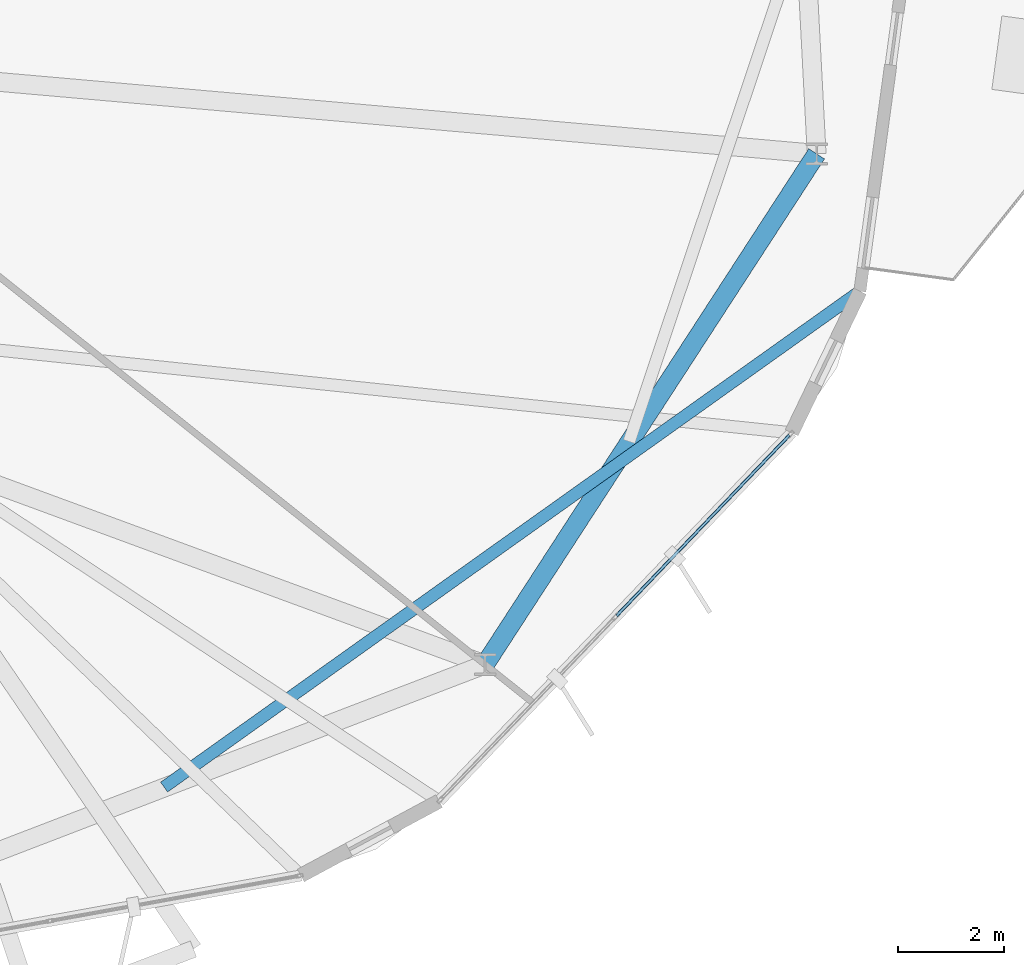
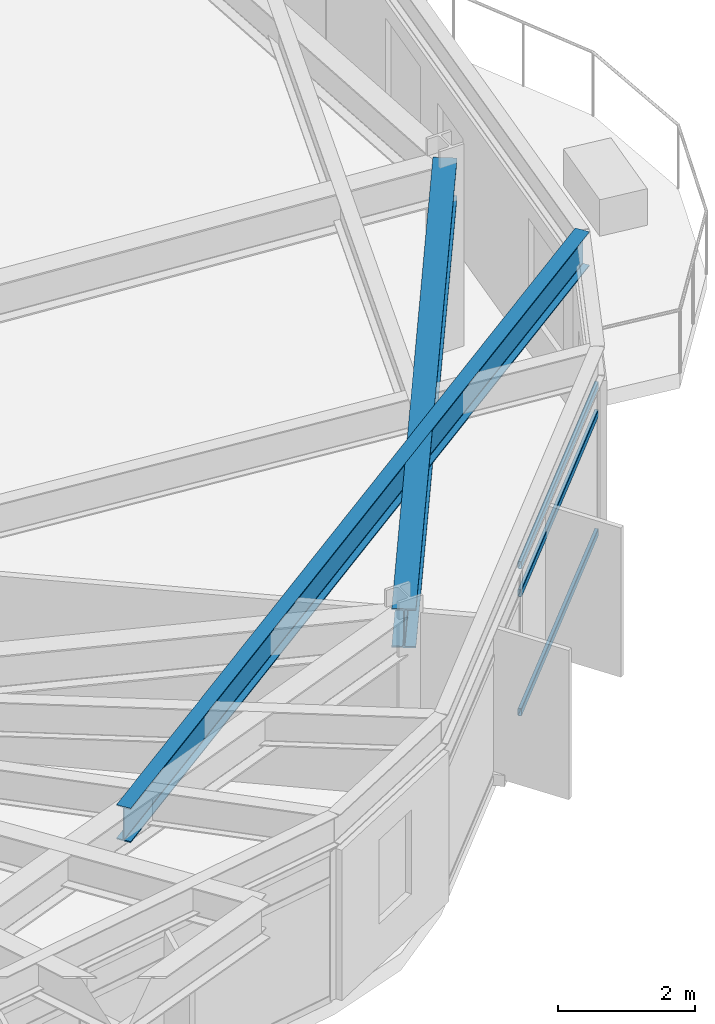
# One storey, part 12 of 27: 3 members, 2 beams, 1 element without a shape of its own.
"""IFC4 building model written with IfcOpenShell, lengths in metres."""

import ifcopenshell
import ifcopenshell.guid

model = None  # the IFC model being written
_history = None  # IfcOwnerHistory: only IFC2X3 demands one
_inside = {}  # id of a spatial element -> (the spatial element, [elements in it])
_under = {}  # id of a project, library or spatial element -> (it, [spatial elements below it])
_declared = {}  # id of a project -> (the project, [libraries it declares])
_typed = {}  # id of a type object -> (the type object, [elements of that type])
_made_of = {}  # id of a material, layer set ... -> (it, [elements and type objects made of it])


def new_model(schema):
    """Start an empty IFC model of exactly this schema.

    Asked for "IFC4X3", IfcOpenShell would pick the latest addendum, in which some entities
    have other attributes; the version numbers below select the first issue.
    IFC2X3 requires an IfcOwnerHistory on every rooted entity: one is made here for all.
    """
    global model, _history
    if schema == "IFC4X3":
        model = ifcopenshell.file(schema_version=(4, 3, 0, 0))
    else:
        model = ifcopenshell.file(schema=schema)
    _inside.clear()
    _under.clear()
    _declared.clear()
    _typed.clear()
    _made_of.clear()
    _history = None
    if model.schema == "IFC2X3":
        org = make("IfcOrganization", Name="unknown")
        user = make(
            "IfcPersonAndOrganization",
            ThePerson=make("IfcPerson", FamilyName="unknown"),
            TheOrganization=org,
        )
        app = make(
            "IfcApplication",
            ApplicationDeveloper=org,
            Version="unknown",
            ApplicationFullName="unknown",
            ApplicationIdentifier="unknown",
        )
        _history = make(
            "IfcOwnerHistory",
            OwningUser=user,
            OwningApplication=app,
            ChangeAction="ADDED",
            CreationDate=0,
        )
    return model


def make(cls, **values):
    """One entity of the class cls with the attributes given. An attribute that is None is left unset."""
    return model.create_entity(
        cls, **{name: value for name, value in values.items() if value is not None}
    )


def rooted(cls, **values):
    """An entity with a GlobalId (a new one), such as an element, a storey or a relation."""
    return make(cls, GlobalId=ifcopenshell.guid.new(), OwnerHistory=_history, **values)


def si_unit(unit_type, name, prefix=None):
    """IfcSIUnit, for example si_unit("LENGTHUNIT", "METRE", prefix="MILLI")."""
    return make("IfcSIUnit", UnitType=unit_type, Prefix=prefix, Name=name)


def assignment(units):
    """IfcUnitAssignment: the units of a project."""
    return None if units is None else make("IfcUnitAssignment", Units=units)


def point(xyz):
    """IfcCartesianPoint."""
    return None if xyz is None else make("IfcCartesianPoint", Coordinates=xyz)


def direction(xyz):
    """IfcDirection."""
    return None if xyz is None else make("IfcDirection", DirectionRatios=xyz)


def frame(location, z_axis=None, x_axis=None):
    """IfcAxis2Placement3D, a coordinate frame: its origin and axes. An axis left out is left unset."""
    return make(
        "IfcAxis2Placement3D",
        Location=point(location),
        Axis=direction(z_axis),
        RefDirection=direction(x_axis),
    )


def frame_2d(location, x_axis=None):
    """IfcAxis2Placement2D, a coordinate frame in the plane: its origin and x axis."""
    return make(
        "IfcAxis2Placement2D", Location=point(location), RefDirection=direction(x_axis)
    )


def origin():
    """The frame at (0, 0, 0) with its axes left unset."""
    return frame((0.0, 0.0, 0.0))


def origin_2d():
    """The frame at (0, 0) in the plane with its x axis left unset."""
    return frame_2d((0.0, 0.0))


def place(relative_to, where):
    """IfcLocalPlacement: puts the frame where relative to a parent placement (None: the world)."""
    return make(
        "IfcLocalPlacement", PlacementRelTo=relative_to, RelativePlacement=where
    )


def context(
    kind, dimensions, precision=None, world=None, true_north=None, identifier=None
):
    """IfcGeometricRepresentationContext, for example the 3D "Model" context."""
    return make(
        "IfcGeometricRepresentationContext",
        ContextIdentifier=identifier,
        ContextType=kind,
        CoordinateSpaceDimension=dimensions,
        Precision=precision,
        WorldCoordinateSystem=world,
        TrueNorth=true_north,
    )


def subcontext(parent, identifier, kind, view, scale=None):
    """IfcGeometricRepresentationSubContext, for example "Body" below "Model"."""
    return make(
        "IfcGeometricRepresentationSubContext",
        ContextIdentifier=identifier,
        ContextType=kind,
        ParentContext=parent,
        TargetScale=scale,
        TargetView=view,
    )


def project(units=None, contexts=None):
    """IfcProject with its units and contexts."""
    return rooted(
        "IfcProject",
        Name="project",
        RepresentationContexts=contexts,
        UnitsInContext=assignment(units),
    )


def spatial(cls, under=None, at=None, **own):
    """A site, building, storey or space (cls), placed at a placement, below another one or the project."""
    s = rooted(cls, ObjectPlacement=at, **own)
    if under is not None:
        _under.setdefault(under.id(), (under, []))[1].append(s)
    return s


def profile(cls, at=None, kind="AREA", **sizes):
    """A parametric profile (cls). Its sizes go by their IFC names, for example OverallWidth=200.0."""
    return make(cls, ProfileType=kind, Position=at, **sizes)


def hollow_rectangle(**sizes):
    """IfcRectangleHollowProfileDef."""
    return profile("IfcRectangleHollowProfileDef", **sizes)


def i_section(**sizes):
    """IfcIShapeProfileDef."""
    return profile("IfcIShapeProfileDef", **sizes)


def extrude(swept, where, along, depth):
    """IfcExtrudedAreaSolid: the profile swept, set in the frame where, extruded along a direction by depth."""
    return make(
        "IfcExtrudedAreaSolid",
        SweptArea=swept,
        Position=where,
        ExtrudedDirection=direction(along),
        Depth=depth,
    )


def shape(context_of_items, identifier, shape_type, items):
    """IfcShapeRepresentation: the items that make up one representation, for example the "Body"."""
    return make(
        "IfcShapeRepresentation",
        ContextOfItems=context_of_items,
        RepresentationIdentifier=identifier,
        RepresentationType=shape_type,
        Items=items,
    )


def material(Name=None, Category=None):
    """IfcMaterial."""
    return make("IfcMaterial", Name=Name, Category=Category)


def layer(
    of_material, thickness, ventilated=None, Name=None, Category=None, Priority=None
):
    """IfcMaterialLayer: one layer of a wall or slab, of a material (None: an air gap)."""
    return make(
        "IfcMaterialLayer",
        Material=of_material,
        LayerThickness=thickness,
        IsVentilated=ventilated,
        Name=Name,
        Category=Category,
        Priority=Priority,
    )


def layer_set(layers, Name=None):
    """IfcMaterialLayerSet."""
    return make("IfcMaterialLayerSet", MaterialLayers=layers, LayerSetName=Name)


def material_profile(
    of_material, cross_section, Name=None, Category=None, Priority=None
):
    """IfcMaterialProfile: a cross section and its material."""
    return make(
        "IfcMaterialProfile",
        Name=Name,
        Material=of_material,
        Profile=cross_section,
        Priority=Priority,
        Category=Category,
    )


def profile_set(profiles, Name=None, composite=None):
    """IfcMaterialProfileSet."""
    return make(
        "IfcMaterialProfileSet",
        Name=Name,
        MaterialProfiles=profiles,
        CompositeProfile=composite,
    )


def made_of(thing, what):
    """Note that an element or type object is made of a material, layer set ...; save() writes the relation."""
    if what is not None:
        _made_of.setdefault(what.id(), (what, []))[1].append(thing)
    return thing


def type_object(cls, material=None, **own):
    """A type object (cls), such as IfcWallType, which elements share."""
    return made_of(rooted(cls, **own), material)


def element(
    cls,
    number,
    at=None,
    inside=None,
    cuts=None,
    type_object=None,
    material=None,
    context=None,
    identifier="Body",
    shape_type=None,
    held_by="IfcProductDefinitionShape",
    body=None,
    shapes=None,
    **own,
):
    """One element of the class cls, such as IfcWall. Its Tag is "e" and its number.

    at: its placement. inside: the storey or other place that contains it. cuts: it is an
    opening in that element (IfcRelVoidsElement). A single representation is given by context,
    identifier, shape_type and body (its items); several are given by shapes. held_by: the class
    of the entity that holds the representations. save() writes the other relations.
    """
    e = rooted(cls, Tag="e%d" % number, ObjectPlacement=at, **own)
    if body is not None:
        shapes = [shape(context, identifier, shape_type, body)]
    if shapes is not None:
        e.Representation = make(held_by, Representations=shapes)
    if inside is not None:
        _inside.setdefault(inside.id(), (inside, []))[1].append(e)
    if cuts is not None:
        rooted(
            "IfcRelVoidsElement", RelatingBuildingElement=cuts, RelatedOpeningElement=e
        )
    if type_object is not None:
        _typed.setdefault(type_object.id(), (type_object, []))[1].append(e)
    return made_of(e, material)


def aggregate(whole, parts):
    """IfcRelAggregates: a whole, such as a stair, and the parts it consists of."""
    return rooted("IfcRelAggregates", RelatingObject=whole, RelatedObjects=parts)


def save(model, path):
    """Write the relations noted so far, then the file.

    IfcRelAggregates (storeys below a building ...), IfcRelContainedInSpatialStructure (elements
    in a storey), IfcRelDefinesByType, IfcRelAssociatesMaterial and IfcRelDeclares: one each for
    every whole, place, type object, material and project.
    """
    for whole, parts in _under.values():
        aggregate(whole, parts)
    for where, things in _inside.values():
        rooted(
            "IfcRelContainedInSpatialStructure",
            RelatedElements=things,
            RelatingStructure=where,
        )
    for kind, things in _typed.values():
        rooted("IfcRelDefinesByType", RelatedObjects=things, RelatingType=kind)
    for what, things in _made_of.values():
        rooted("IfcRelAssociatesMaterial", RelatedObjects=things, RelatingMaterial=what)
    for by, libraries in _declared.values():
        rooted("IfcRelDeclares", RelatingContext=by, RelatedDefinitions=libraries)
    model.write(path)


model = new_model("IFC4")

# Units and contexts
model_context = context("Model", 3, precision=1e-05, world=origin(), true_north=direction((0.0, 1.0)))
body_context = subcontext(model_context, "Body", "Model", "MODEL_VIEW")
ifc_project = project(units=[si_unit("LENGTHUNIT", "METRE"), si_unit("AREAUNIT", "SQUARE_METRE"), si_unit("VOLUMEUNIT", "CUBIC_METRE"), si_unit("PLANEANGLEUNIT", "RADIAN"), si_unit("MASSUNIT", "GRAM", prefix="KILO")], contexts=[model_context])

# Site, building, storey
site_placement = place(None, origin())
site = spatial("IfcSite", under=ifc_project, at=site_placement, CompositionType="ELEMENT")
building_placement = place(site_placement, origin())
building = spatial("IfcBuilding", under=site, at=building_placement, Name="Soratama Intermodal Tower", CompositionType="ELEMENT")
storey_placement = place(building_placement, frame((0.0, 0.0, 208.60009765625)))
storey = spatial("IfcBuildingStorey", under=building, at=storey_placement, Name="L52", CompositionType="ELEMENT", Elevation=208.60009765625)

# Beams
ifc_material_1 = material(Name="Structural steel ASTM A992 Grade 50", Category="steel")
ifc_material_profile_1 = material_profile(ifc_material_1, i_section(OverallWidth=0.35498046875, OverallDepth=0.695068359375, WebThickness=0.015380859375, FlangeThickness=0.02490234375, FilletRadius=0.01611328125, at=origin_2d()), Name="W27X146")
ifc_profile_set_1 = profile_set([ifc_material_profile_1], Name="Structural steel ASTM A992 Grade 50")
beam_type_1 = type_object("IfcBeamType", Name="BM-RING-W27X146", PredefinedType="BEAM", material=ifc_profile_set_1)
beam_1_placement = place(storey_placement, frame((56.705078125, 10.544921875, 2.952392578125), z_axis=(0.544637453764, 0.83867159482, 0.0), x_axis=(-0.83867159482, 0.544637453764, 0.0)))
element("IfcBeam", 1, at=beam_1_placement, inside=storey, type_object=beam_type_1, Name="BM-L52-RING-09", PredefinedType="BEAM", context=body_context, shape_type="SweptSolid", body=[
    extrude(i_section(OverallWidth=0.35498046875, OverallDepth=0.695068359375, WebThickness=0.015380859375, FlangeThickness=0.02490234375, FilletRadius=0.01611328125, at=origin_2d()), origin(), (0.0, 0.0, 1.0), 11.49560546875),
])
ifc_material_2 = material(Name="Structural steel ASTM A992 Grade 50", Category="steel")
ifc_material_profile_2 = material_profile(ifc_material_2, i_section(OverallWidth=0.22900390625, OverallDepth=0.612060546875, WebThickness=0.011962890625, FlangeThickness=0.01953125, FilletRadius=0.012939453125, at=origin_2d()), Name="W24X84")
ifc_profile_set_2 = profile_set([ifc_material_profile_2], Name="Structural steel ASTM A992 Grade 50")
beam_type_2 = type_object("IfcBeamType", Name="BM-TIE-W24X84", PredefinedType="BEAM", material=ifc_profile_set_2)
beam_2_placement = place(storey_placement, frame((50.64697265625, 8.22998046875, 2.993896484375), z_axis=(0.81437113052, 0.580344433743, 0.0), x_axis=(-0.580344433743, 0.81437113052, 0.0)))
element("IfcBeam", 2, at=beam_2_placement, inside=storey, type_object=beam_type_2, Name="BM-L52-TIE0-09", PredefinedType="BEAM", context=body_context, shape_type="SweptSolid", body=[
    extrude(i_section(OverallWidth=0.22900390625, OverallDepth=0.612060546875, WebThickness=0.011962890625, FlangeThickness=0.01953125, FilletRadius=0.012939453125, at=origin_2d()), origin(), (0.0, 0.0, 1.0), 16.130126953125),
])

# Curtain wall, members
ifc_material_3 = material(Name="Double-glazed aluminium curtain wall", Category="aluminium")
ifc_layer = layer(ifc_material_3, 0.159912109375)
ifc_layer_set = layer_set([ifc_layer], Name="Double-glazed aluminium curtain wall")
curtain_wall_type = type_object("IfcCurtainWallType", Name="CW-SYS-5", PredefinedType="NOTDEFINED", material=ifc_layer_set)
curtain_wall_placement = place(storey_placement, origin())
curtain_wall = element("IfcCurtainWall", 3, at=curtain_wall_placement, inside=storey, type_object=curtain_wall_type, Name="L52 Faceted Curtain Wall F08", PredefinedType="NOTDEFINED")
ifc_material_4 = material(Name="Anodised aluminium AA 6063-T6", Category="aluminium")
ifc_material_profile_3 = material_profile(ifc_material_4, hollow_rectangle(XDim=0.06005859375, YDim=0.1298828125, WallThickness=0.0048828125, InnerFilletRadius=0.0048828125, OuterFilletRadius=0.010009765625, at=origin_2d()), Name="CWT130X60X5")
ifc_profile_set_3 = profile_set([ifc_material_profile_3], Name="Anodised aluminium AA 6063-T6")
member_type = type_object("IfcMemberType", Name="TT-CWT-2", PredefinedType="USERDEFINED", material=ifc_profile_set_3)
member_1_placement = place(storey_placement, frame((59.188720703125, 11.463623046875, 0.02978515625), z_axis=(0.691372891355, 0.722498114253, 0.0), x_axis=(-0.722498114253, 0.691372891355, 0.0)))
member_1 = element("IfcMember", 4, at=member_1_placement, type_object=member_type, Name="CW-5 transom 2.1", ObjectType="TRANSOM", PredefinedType="USERDEFINED", context=body_context, shape_type="SweptSolid", body=[
    extrude(hollow_rectangle(XDim=0.06005859375, YDim=0.1298828125, WallThickness=0.0048828125, InnerFilletRadius=0.0048828125, OuterFilletRadius=0.010009765625, at=origin_2d()), origin(), (0.0, 0.0, 1.0), 4.721923828125),
])
member_2_placement = place(storey_placement, frame((59.188720703125, 11.463623046875, 2.14990234375), z_axis=(0.691372891355, 0.722498114253, 0.0), x_axis=(-0.722498114253, 0.691372891355, 0.0)))
member_2 = element("IfcMember", 5, at=member_2_placement, type_object=member_type, Name="CW-5 transom 2.2", ObjectType="TRANSOM", PredefinedType="USERDEFINED", context=body_context, shape_type="SweptSolid", body=[
    extrude(hollow_rectangle(XDim=0.06005859375, YDim=0.1298828125, WallThickness=0.0048828125, InnerFilletRadius=0.0048828125, OuterFilletRadius=0.010009765625, at=origin_2d()), origin(), (0.0, 0.0, 1.0), 4.721923828125),
])
member_3_placement = place(storey_placement, frame((59.188720703125, 11.463623046875, 2.64892578125), z_axis=(0.691372891355, 0.722498114253, 0.0), x_axis=(-0.722498114253, 0.691372891355, 0.0)))
member_3 = element("IfcMember", 6, at=member_3_placement, type_object=member_type, Name="CW-5 transom 2.3", ObjectType="TRANSOM", PredefinedType="USERDEFINED", context=body_context, shape_type="SweptSolid", body=[
    extrude(hollow_rectangle(XDim=0.06005859375, YDim=0.1298828125, WallThickness=0.0048828125, InnerFilletRadius=0.0048828125, OuterFilletRadius=0.010009765625, at=origin_2d()), origin(), (0.0, 0.0, 1.0), 4.721923828125),
])
aggregate(curtain_wall, [member_1, member_2, member_3])

save(model, "model.ifc")
